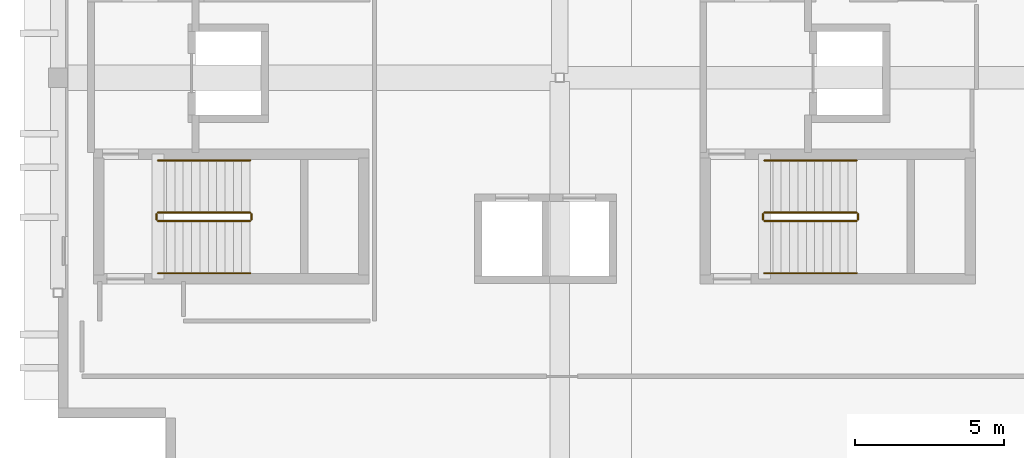
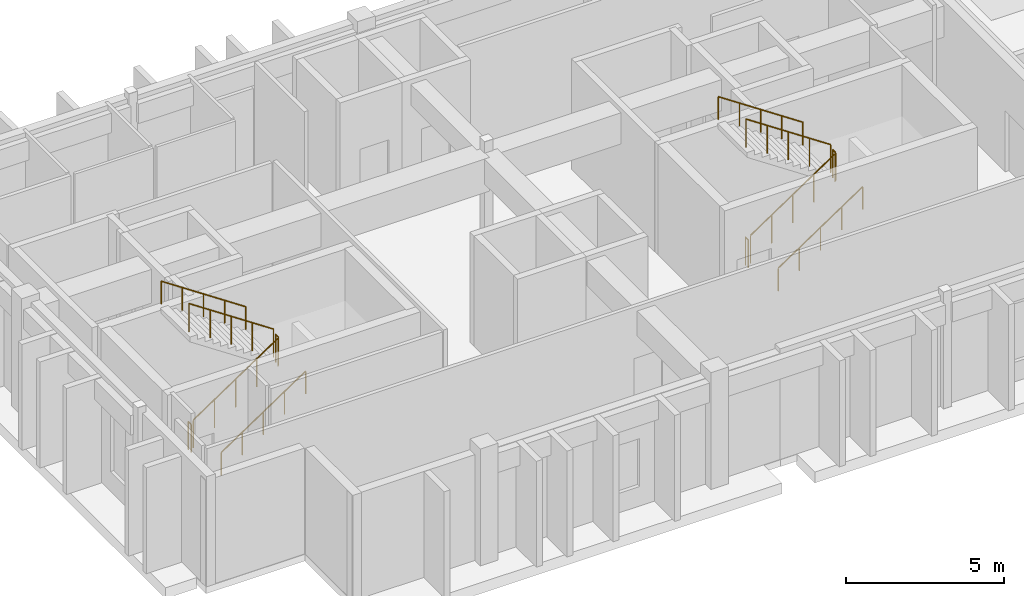
# One storey, part 6 of 7: 12 railings.
"""IFC4 building model written with IfcOpenShell, lengths in metres."""

from ifc_helpers import new_model, si_unit, direction, frame, origin, origin_2d, place, context, subcontext, project, spatial, circle, extrude, material, type_object, element, save


model = new_model("IFC4")

# Units and contexts
model_context = context("Model", 3, precision=1e-05, world=origin(), true_north=direction((0.0, 1.0)))
body_context = subcontext(model_context, "Body", "Model", "MODEL_VIEW")
ifc_project = project(units=[si_unit("LENGTHUNIT", "METRE"), si_unit("AREAUNIT", "SQUARE_METRE"), si_unit("VOLUMEUNIT", "CUBIC_METRE"), si_unit("PLANEANGLEUNIT", "RADIAN"), si_unit("MASSUNIT", "GRAM", prefix="KILO")], contexts=[model_context])

# Site, building, storey
site_placement = place(None, origin())
site = spatial("IfcSite", under=ifc_project, at=site_placement, CompositionType="ELEMENT")
building_placement = place(site_placement, origin())
building = spatial("IfcBuilding", under=site, at=building_placement, Name="Quendrovan Civic Courthouse", CompositionType="ELEMENT")
storey_placement = place(building_placement, frame((0.0, 0.0, 40.199951171875)))
storey = spatial("IfcBuildingStorey", under=building, at=storey_placement, Name="L09", CompositionType="ELEMENT", Elevation=40.199951171875)

# Railings
ifc_material_1 = material(Name="Painted galvanized steel", Category="steel")
railing_type_1 = type_object("IfcRailingType", Name="RL-STR-GUARD1100", PredefinedType="GUARDRAIL", material=ifc_material_1)
railing_1_placement = place(storey_placement, frame((36.949951171875, 97.199951171875, 0.1875)))
element("IfcRailing", 1, at=railing_1_placement, inside=storey, type_object=railing_type_1, Name="L09 ST1 stair guard 1", PredefinedType="GUARDRAIL", context=body_context, shape_type="SweptSolid", body=[
    extrude(circle(Radius=0.02392578125, at=origin_2d()), frame((0.0, 0.0, 1.076171875), z_axis=(0.830913701846, 0.0, 0.55640131208), x_axis=(0.0, 1.0, 0.0)), (0.0, 0.0, 1.0), 3.706787109375),
    extrude(circle(Radius=0.02099609375, at=origin_2d()), origin(), (0.0, 0.0, 1.0), 1.052001953125),
    extrude(circle(Radius=0.02099609375, at=origin_2d()), frame((0.77001953125, 0.0, 0.515625)), (0.0, 0.0, 1.0), 1.052001953125),
    extrude(circle(Radius=0.02099609375, at=origin_2d()), frame((1.5400390625, 0.0, 1.03125)), (0.0, 0.0, 1.0), 1.052001953125),
    extrude(circle(Radius=0.02099609375, at=origin_2d()), frame((2.31005859375, 0.0, 1.546875)), (0.0, 0.0, 1.0), 1.052001953125),
    extrude(circle(Radius=0.02099609375, at=origin_2d()), frame((3.080078125, 0.0, 2.0625)), (0.0, 0.0, 1.0), 1.052001953125),
])
railing_2_placement = place(storey_placement, frame((40.080078125, 97.25, 2.25)))
element("IfcRailing", 2, at=railing_2_placement, inside=storey, type_object=railing_type_1, Name="L09 ST1 stair guard 2", PredefinedType="GUARDRAIL", context=body_context, shape_type="SweptSolid", body=[
    extrude(circle(Radius=0.02392578125, at=origin_2d()), frame((0.0, 0.0, 1.076171875), z_axis=(0.0, 1.0, 0.0), x_axis=(-1.0, 0.0, 0.0)), (0.0, 0.0, 1.0), 0.179931640625),
    extrude(circle(Radius=0.02099609375, at=origin_2d()), origin(), (0.0, 0.0, 1.0), 1.052001953125),
    extrude(circle(Radius=0.02099609375, at=origin_2d()), frame((0.0, 0.179931640625, 0.0)), (0.0, 0.0, 1.0), 1.052001953125),
])
railing_3_placement = place(storey_placement, frame((40.030029296875, 97.47998046875, 2.4375)))
element("IfcRailing", 3, at=railing_3_placement, inside=storey, type_object=railing_type_1, Name="L09 ST1 stair guard 3", PredefinedType="GUARDRAIL", context=body_context, shape_type="SweptSolid", body=[
    extrude(circle(Radius=0.02392578125, at=origin_2d()), frame((0.0, 0.0, 1.076171875), z_axis=(-0.830913701846, 0.0, 0.55640131208), x_axis=(0.0, -1.0, 0.0)), (0.0, 0.0, 1.0), 3.706787109375),
    extrude(circle(Radius=0.02099609375, at=origin_2d()), origin(), (0.0, 0.0, 1.0), 1.052001953125),
    extrude(circle(Radius=0.02099609375, at=origin_2d()), frame((-0.77001953125, 0.0, 0.515625)), (0.0, 0.0, 1.0), 1.052001953125),
    extrude(circle(Radius=0.02099609375, at=origin_2d()), frame((-1.5400390625, 0.0, 1.03125)), (0.0, 0.0, 1.0), 1.052001953125),
    extrude(circle(Radius=0.02099609375, at=origin_2d()), frame((-2.31005859375, 0.0, 1.546875)), (0.0, 0.0, 1.0), 1.052001953125),
    extrude(circle(Radius=0.02099609375, at=origin_2d()), frame((-3.080078125, 0.0, 2.0625)), (0.0, 0.0, 1.0), 1.052001953125),
])
railing_4_placement = place(storey_placement, frame((36.89990234375, 97.25, 0.0)))
element("IfcRailing", 4, at=railing_4_placement, inside=storey, type_object=railing_type_1, Name="L09 ST1 stair guard 4", PredefinedType="GUARDRAIL", context=body_context, shape_type="SweptSolid", body=[
    extrude(circle(Radius=0.02392578125, at=origin_2d()), frame((0.0, 0.0, 1.076171875), z_axis=(0.0, 1.0, 0.0), x_axis=(-1.0, 0.0, 0.0)), (0.0, 0.0, 1.0), 0.179931640625),
    extrude(circle(Radius=0.02099609375, at=origin_2d()), origin(), (0.0, 0.0, 1.0), 1.052001953125),
    extrude(circle(Radius=0.02099609375, at=origin_2d()), frame((0.0, 0.179931640625, 0.0)), (0.0, 0.0, 1.0), 1.052001953125),
])
railing_5_placement = place(storey_placement, frame((57.25, 97.199951171875, 0.1875)))
element("IfcRailing", 5, at=railing_5_placement, inside=storey, type_object=railing_type_1, Name="L09 ST2 stair guard 1", PredefinedType="GUARDRAIL", context=body_context, shape_type="SweptSolid", body=[
    extrude(circle(Radius=0.02392578125, at=origin_2d()), frame((0.0, 0.0, 1.076171875), z_axis=(0.830913701846, 0.0, 0.55640131208), x_axis=(0.0, 1.0, 0.0)), (0.0, 0.0, 1.0), 3.706787109375),
    extrude(circle(Radius=0.02099609375, at=origin_2d()), origin(), (0.0, 0.0, 1.0), 1.052001953125),
    extrude(circle(Radius=0.02099609375, at=origin_2d()), frame((0.77001953125, 0.0, 0.515625)), (0.0, 0.0, 1.0), 1.052001953125),
    extrude(circle(Radius=0.02099609375, at=origin_2d()), frame((1.5400390625, 0.0, 1.03125)), (0.0, 0.0, 1.0), 1.052001953125),
    extrude(circle(Radius=0.02099609375, at=origin_2d()), frame((2.31005859375, 0.0, 1.546875)), (0.0, 0.0, 1.0), 1.052001953125),
    extrude(circle(Radius=0.02099609375, at=origin_2d()), frame((3.080078125, 0.0, 2.0625)), (0.0, 0.0, 1.0), 1.052001953125),
])
railing_6_placement = place(storey_placement, frame((60.3798828125, 97.25, 2.25)))
element("IfcRailing", 6, at=railing_6_placement, inside=storey, type_object=railing_type_1, Name="L09 ST2 stair guard 2", PredefinedType="GUARDRAIL", context=body_context, shape_type="SweptSolid", body=[
    extrude(circle(Radius=0.02392578125, at=origin_2d()), frame((0.0, 0.0, 1.076171875), z_axis=(0.0, 1.0, 0.0), x_axis=(-1.0, 0.0, 0.0)), (0.0, 0.0, 1.0), 0.179931640625),
    extrude(circle(Radius=0.02099609375, at=origin_2d()), origin(), (0.0, 0.0, 1.0), 1.052001953125),
    extrude(circle(Radius=0.02099609375, at=origin_2d()), frame((0.0, 0.179931640625, 0.0)), (0.0, 0.0, 1.0), 1.052001953125),
])
railing_7_placement = place(storey_placement, frame((60.330078125, 97.47998046875, 2.4375)))
element("IfcRailing", 7, at=railing_7_placement, inside=storey, type_object=railing_type_1, Name="L09 ST2 stair guard 3", PredefinedType="GUARDRAIL", context=body_context, shape_type="SweptSolid", body=[
    extrude(circle(Radius=0.02392578125, at=origin_2d()), frame((0.0, 0.0, 1.076171875), z_axis=(-0.830913701846, 0.0, 0.55640131208), x_axis=(0.0, -1.0, 0.0)), (0.0, 0.0, 1.0), 3.706787109375),
    extrude(circle(Radius=0.02099609375, at=origin_2d()), origin(), (0.0, 0.0, 1.0), 1.052001953125),
    extrude(circle(Radius=0.02099609375, at=origin_2d()), frame((-0.77001953125, 0.0, 0.515625)), (0.0, 0.0, 1.0), 1.052001953125),
    extrude(circle(Radius=0.02099609375, at=origin_2d()), frame((-1.5400390625, 0.0, 1.03125)), (0.0, 0.0, 1.0), 1.052001953125),
    extrude(circle(Radius=0.02099609375, at=origin_2d()), frame((-2.31005859375, 0.0, 1.546875)), (0.0, 0.0, 1.0), 1.052001953125),
    extrude(circle(Radius=0.02099609375, at=origin_2d()), frame((-3.080078125, 0.0, 2.0625)), (0.0, 0.0, 1.0), 1.052001953125),
])
railing_8_placement = place(storey_placement, frame((57.199951171875, 97.25, 0.0)))
element("IfcRailing", 8, at=railing_8_placement, inside=storey, type_object=railing_type_1, Name="L09 ST2 stair guard 4", PredefinedType="GUARDRAIL", context=body_context, shape_type="SweptSolid", body=[
    extrude(circle(Radius=0.02392578125, at=origin_2d()), frame((0.0, 0.0, 1.076171875), z_axis=(0.0, 1.0, 0.0), x_axis=(-1.0, 0.0, 0.0)), (0.0, 0.0, 1.0), 0.179931640625),
    extrude(circle(Radius=0.02099609375, at=origin_2d()), origin(), (0.0, 0.0, 1.0), 1.052001953125),
    extrude(circle(Radius=0.02099609375, at=origin_2d()), frame((0.0, 0.179931640625, 0.0)), (0.0, 0.0, 1.0), 1.052001953125),
])
ifc_material_2 = material(Name="Bronze anodised aluminium", Category="aluminium")
railing_type_2 = type_object("IfcRailingType", Name="RL-STR-HAND900", PredefinedType="HANDRAIL", material=ifc_material_2)
railing_9_placement = place(storey_placement, frame((36.949951171875, 95.449951171875, 0.1875)))
element("IfcRailing", 9, at=railing_9_placement, inside=storey, type_object=railing_type_2, Name="L09 ST1 stair handrail 1", PredefinedType="HANDRAIL", context=body_context, shape_type="SweptSolid", body=[
    extrude(circle(Radius=0.02392578125, at=origin_2d()), frame((0.0, 0.0, 0.8759765625), z_axis=(0.830913701846, 0.0, 0.55640131208), x_axis=(0.0, 1.0, 0.0)), (0.0, 0.0, 1.0), 3.706787109375),
    extrude(circle(Radius=0.02099609375, at=origin_2d()), origin(), (0.0, 0.0, 1.0), 0.851806640625),
    extrude(circle(Radius=0.02099609375, at=origin_2d()), frame((0.77001953125, 0.0, 0.515625)), (0.0, 0.0, 1.0), 0.851806640625),
    extrude(circle(Radius=0.02099609375, at=origin_2d()), frame((1.5400390625, 0.0, 1.03125)), (0.0, 0.0, 1.0), 0.851806640625),
    extrude(circle(Radius=0.02099609375, at=origin_2d()), frame((2.31005859375, 0.0, 1.546875)), (0.0, 0.0, 1.0), 0.851806640625),
    extrude(circle(Radius=0.02099609375, at=origin_2d()), frame((3.080078125, 0.0, 2.0625)), (0.0, 0.0, 1.0), 0.851806640625),
])
railing_10_placement = place(storey_placement, frame((40.030029296875, 99.22998046875, 2.4375)))
element("IfcRailing", 10, at=railing_10_placement, inside=storey, type_object=railing_type_2, Name="L09 ST1 stair handrail 2", PredefinedType="HANDRAIL", context=body_context, shape_type="SweptSolid", body=[
    extrude(circle(Radius=0.02392578125, at=origin_2d()), frame((0.0, 0.0, 0.8759765625), z_axis=(-0.830913701846, 0.0, 0.55640131208), x_axis=(0.0, -1.0, 0.0)), (0.0, 0.0, 1.0), 3.706787109375),
    extrude(circle(Radius=0.02099609375, at=origin_2d()), origin(), (0.0, 0.0, 1.0), 0.851806640625),
    extrude(circle(Radius=0.02099609375, at=origin_2d()), frame((-0.77001953125, 0.0, 0.515625)), (0.0, 0.0, 1.0), 0.851806640625),
    extrude(circle(Radius=0.02099609375, at=origin_2d()), frame((-1.5400390625, 0.0, 1.03125)), (0.0, 0.0, 1.0), 0.851806640625),
    extrude(circle(Radius=0.02099609375, at=origin_2d()), frame((-2.31005859375, 0.0, 1.546875)), (0.0, 0.0, 1.0), 0.851806640625),
    extrude(circle(Radius=0.02099609375, at=origin_2d()), frame((-3.080078125, 0.0, 2.0625)), (0.0, 0.0, 1.0), 0.851806640625),
])
railing_11_placement = place(storey_placement, frame((57.25, 95.449951171875, 0.1875)))
element("IfcRailing", 11, at=railing_11_placement, inside=storey, type_object=railing_type_2, Name="L09 ST2 stair handrail 1", PredefinedType="HANDRAIL", context=body_context, shape_type="SweptSolid", body=[
    extrude(circle(Radius=0.02392578125, at=origin_2d()), frame((0.0, 0.0, 0.8759765625), z_axis=(0.830913701846, 0.0, 0.55640131208), x_axis=(0.0, 1.0, 0.0)), (0.0, 0.0, 1.0), 3.706787109375),
    extrude(circle(Radius=0.02099609375, at=origin_2d()), origin(), (0.0, 0.0, 1.0), 0.851806640625),
    extrude(circle(Radius=0.02099609375, at=origin_2d()), frame((0.77001953125, 0.0, 0.515625)), (0.0, 0.0, 1.0), 0.851806640625),
    extrude(circle(Radius=0.02099609375, at=origin_2d()), frame((1.5400390625, 0.0, 1.03125)), (0.0, 0.0, 1.0), 0.851806640625),
    extrude(circle(Radius=0.02099609375, at=origin_2d()), frame((2.31005859375, 0.0, 1.546875)), (0.0, 0.0, 1.0), 0.851806640625),
    extrude(circle(Radius=0.02099609375, at=origin_2d()), frame((3.080078125, 0.0, 2.0625)), (0.0, 0.0, 1.0), 0.851806640625),
])
railing_12_placement = place(storey_placement, frame((60.330078125, 99.22998046875, 2.4375)))
element("IfcRailing", 12, at=railing_12_placement, inside=storey, type_object=railing_type_2, Name="L09 ST2 stair handrail 2", PredefinedType="HANDRAIL", context=body_context, shape_type="SweptSolid", body=[
    extrude(circle(Radius=0.02392578125, at=origin_2d()), frame((0.0, 0.0, 0.8759765625), z_axis=(-0.830913701846, 0.0, 0.55640131208), x_axis=(0.0, -1.0, 0.0)), (0.0, 0.0, 1.0), 3.706787109375),
    extrude(circle(Radius=0.02099609375, at=origin_2d()), origin(), (0.0, 0.0, 1.0), 0.851806640625),
    extrude(circle(Radius=0.02099609375, at=origin_2d()), frame((-0.77001953125, 0.0, 0.515625)), (0.0, 0.0, 1.0), 0.851806640625),
    extrude(circle(Radius=0.02099609375, at=origin_2d()), frame((-1.5400390625, 0.0, 1.03125)), (0.0, 0.0, 1.0), 0.851806640625),
    extrude(circle(Radius=0.02099609375, at=origin_2d()), frame((-2.31005859375, 0.0, 1.546875)), (0.0, 0.0, 1.0), 0.851806640625),
    extrude(circle(Radius=0.02099609375, at=origin_2d()), frame((-3.080078125, 0.0, 2.0625)), (0.0, 0.0, 1.0), 0.851806640625),
])

save(model, "model.ifc")
